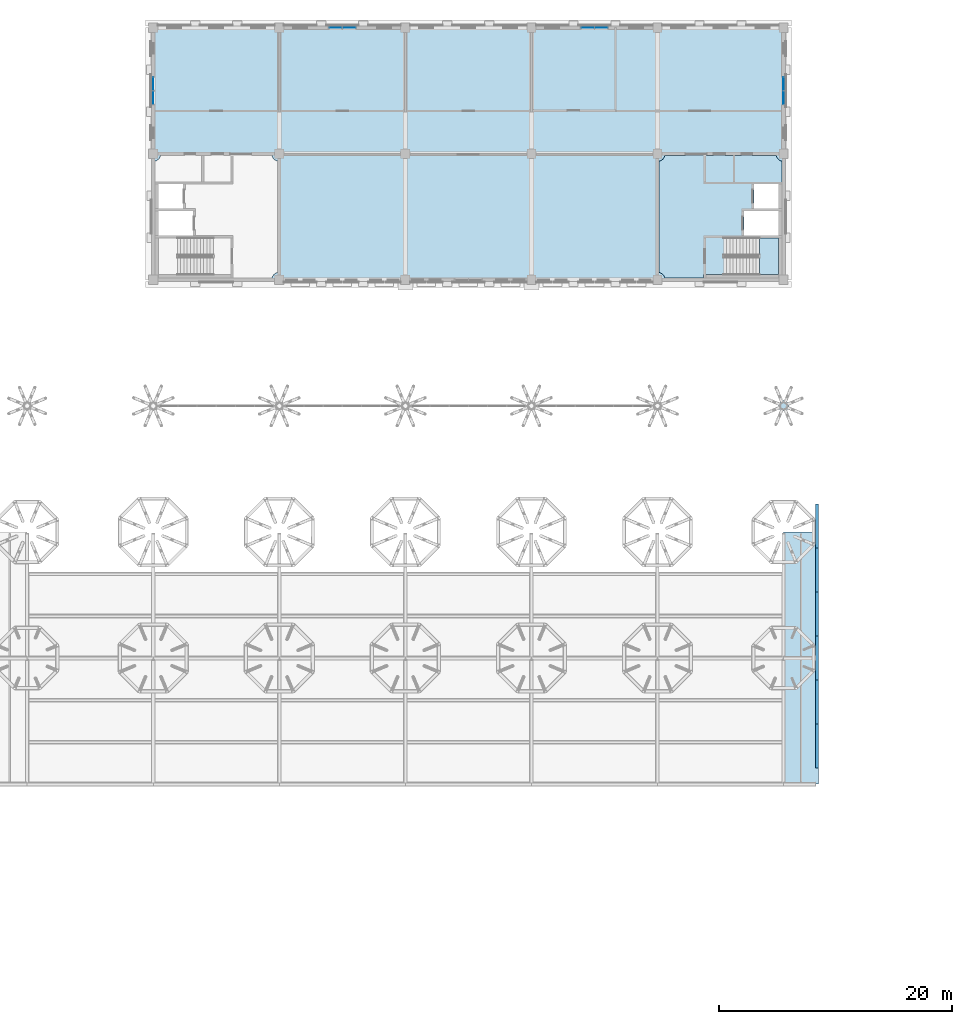
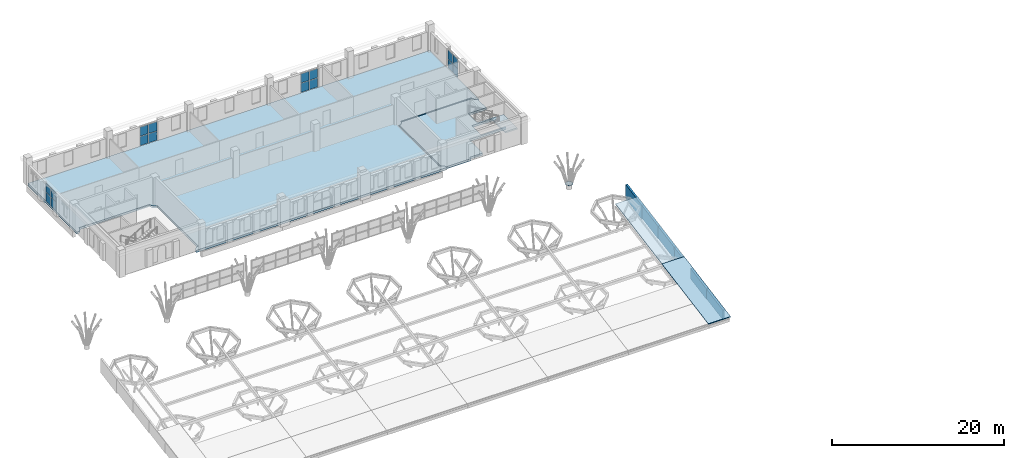
# One storey, part 19 of 42: 23 plates, 5 slabs, 5 elements without a shape of their own.
"""IFC4 building model written with IfcOpenShell, lengths in metres."""

import ifcopenshell
import ifcopenshell.guid

model = None  # the IFC model being written
_history = None  # IfcOwnerHistory: only IFC2X3 demands one
_inside = {}  # id of a spatial element -> (the spatial element, [elements in it])
_under = {}  # id of a project, library or spatial element -> (it, [spatial elements below it])
_declared = {}  # id of a project -> (the project, [libraries it declares])
_typed = {}  # id of a type object -> (the type object, [elements of that type])
_made_of = {}  # id of a material, layer set ... -> (it, [elements and type objects made of it])


def new_model(schema):
    """Start an empty IFC model of exactly this schema.

    Asked for "IFC4X3", IfcOpenShell would pick the latest addendum, in which some entities
    have other attributes; the version numbers below select the first issue.
    IFC2X3 requires an IfcOwnerHistory on every rooted entity: one is made here for all.
    """
    global model, _history
    if schema == "IFC4X3":
        model = ifcopenshell.file(schema_version=(4, 3, 0, 0))
    else:
        model = ifcopenshell.file(schema=schema)
    _inside.clear()
    _under.clear()
    _declared.clear()
    _typed.clear()
    _made_of.clear()
    _history = None
    if model.schema == "IFC2X3":
        org = make("IfcOrganization", Name="unknown")
        user = make(
            "IfcPersonAndOrganization",
            ThePerson=make("IfcPerson", FamilyName="unknown"),
            TheOrganization=org,
        )
        app = make(
            "IfcApplication",
            ApplicationDeveloper=org,
            Version="unknown",
            ApplicationFullName="unknown",
            ApplicationIdentifier="unknown",
        )
        _history = make(
            "IfcOwnerHistory",
            OwningUser=user,
            OwningApplication=app,
            ChangeAction="ADDED",
            CreationDate=0,
        )
    return model


def make(cls, **values):
    """One entity of the class cls with the attributes given. An attribute that is None is left unset."""
    return model.create_entity(
        cls, **{name: value for name, value in values.items() if value is not None}
    )


def rooted(cls, **values):
    """An entity with a GlobalId (a new one), such as an element, a storey or a relation."""
    return make(cls, GlobalId=ifcopenshell.guid.new(), OwnerHistory=_history, **values)


def si_unit(unit_type, name, prefix=None):
    """IfcSIUnit, for example si_unit("LENGTHUNIT", "METRE", prefix="MILLI")."""
    return make("IfcSIUnit", UnitType=unit_type, Prefix=prefix, Name=name)


def assignment(units):
    """IfcUnitAssignment: the units of a project."""
    return None if units is None else make("IfcUnitAssignment", Units=units)


def point(xyz):
    """IfcCartesianPoint."""
    return None if xyz is None else make("IfcCartesianPoint", Coordinates=xyz)


def direction(xyz):
    """IfcDirection."""
    return None if xyz is None else make("IfcDirection", DirectionRatios=xyz)


def frame(location, z_axis=None, x_axis=None):
    """IfcAxis2Placement3D, a coordinate frame: its origin and axes. An axis left out is left unset."""
    return make(
        "IfcAxis2Placement3D",
        Location=point(location),
        Axis=direction(z_axis),
        RefDirection=direction(x_axis),
    )


def frame_2d(location, x_axis=None):
    """IfcAxis2Placement2D, a coordinate frame in the plane: its origin and x axis."""
    return make(
        "IfcAxis2Placement2D", Location=point(location), RefDirection=direction(x_axis)
    )


def origin():
    """The frame at (0, 0, 0) with its axes left unset."""
    return frame((0.0, 0.0, 0.0))


def origin_2d():
    """The frame at (0, 0) in the plane with its x axis left unset."""
    return frame_2d((0.0, 0.0))


def place(relative_to, where):
    """IfcLocalPlacement: puts the frame where relative to a parent placement (None: the world)."""
    return make(
        "IfcLocalPlacement", PlacementRelTo=relative_to, RelativePlacement=where
    )


def context(
    kind, dimensions, precision=None, world=None, true_north=None, identifier=None
):
    """IfcGeometricRepresentationContext, for example the 3D "Model" context."""
    return make(
        "IfcGeometricRepresentationContext",
        ContextIdentifier=identifier,
        ContextType=kind,
        CoordinateSpaceDimension=dimensions,
        Precision=precision,
        WorldCoordinateSystem=world,
        TrueNorth=true_north,
    )


def subcontext(parent, identifier, kind, view, scale=None):
    """IfcGeometricRepresentationSubContext, for example "Body" below "Model"."""
    return make(
        "IfcGeometricRepresentationSubContext",
        ContextIdentifier=identifier,
        ContextType=kind,
        ParentContext=parent,
        TargetScale=scale,
        TargetView=view,
    )


def project(units=None, contexts=None):
    """IfcProject with its units and contexts."""
    return rooted(
        "IfcProject",
        Name="project",
        RepresentationContexts=contexts,
        UnitsInContext=assignment(units),
    )


def spatial(cls, under=None, at=None, **own):
    """A site, building, storey or space (cls), placed at a placement, below another one or the project."""
    s = rooted(cls, ObjectPlacement=at, **own)
    if under is not None:
        _under.setdefault(under.id(), (under, []))[1].append(s)
    return s


def polyline(points):
    """IfcPolyline through the points."""
    return make("IfcPolyline", Points=[point(p) for p in points])


def profile(cls, at=None, kind="AREA", **sizes):
    """A parametric profile (cls). Its sizes go by their IFC names, for example OverallWidth=200.0."""
    return make(cls, ProfileType=kind, Position=at, **sizes)


def rectangle(**sizes):
    """IfcRectangleProfileDef."""
    return profile("IfcRectangleProfileDef", **sizes)


def circle(**sizes):
    """IfcCircleProfileDef."""
    return profile("IfcCircleProfileDef", **sizes)


def outline(outer, holes=None, kind="AREA"):
    """IfcArbitraryClosedProfileDef: a profile drawn as a closed curve; with holes, ...WithVoids."""
    if holes is None:
        return make("IfcArbitraryClosedProfileDef", ProfileType=kind, OuterCurve=outer)
    return make(
        "IfcArbitraryProfileDefWithVoids",
        ProfileType=kind,
        OuterCurve=outer,
        InnerCurves=holes,
    )


def extrude(swept, where, along, depth):
    """IfcExtrudedAreaSolid: the profile swept, set in the frame where, extruded along a direction by depth."""
    return make(
        "IfcExtrudedAreaSolid",
        SweptArea=swept,
        Position=where,
        ExtrudedDirection=direction(along),
        Depth=depth,
    )


def shape(context_of_items, identifier, shape_type, items):
    """IfcShapeRepresentation: the items that make up one representation, for example the "Body"."""
    return make(
        "IfcShapeRepresentation",
        ContextOfItems=context_of_items,
        RepresentationIdentifier=identifier,
        RepresentationType=shape_type,
        Items=items,
    )


def material(Name=None, Category=None):
    """IfcMaterial."""
    return make("IfcMaterial", Name=Name, Category=Category)


def layer(
    of_material, thickness, ventilated=None, Name=None, Category=None, Priority=None
):
    """IfcMaterialLayer: one layer of a wall or slab, of a material (None: an air gap)."""
    return make(
        "IfcMaterialLayer",
        Material=of_material,
        LayerThickness=thickness,
        IsVentilated=ventilated,
        Name=Name,
        Category=Category,
        Priority=Priority,
    )


def layer_set(layers, Name=None):
    """IfcMaterialLayerSet."""
    return make("IfcMaterialLayerSet", MaterialLayers=layers, LayerSetName=Name)


def material_profile(
    of_material, cross_section, Name=None, Category=None, Priority=None
):
    """IfcMaterialProfile: a cross section and its material."""
    return make(
        "IfcMaterialProfile",
        Name=Name,
        Material=of_material,
        Profile=cross_section,
        Priority=Priority,
        Category=Category,
    )


def profile_set(profiles, Name=None, composite=None):
    """IfcMaterialProfileSet."""
    return make(
        "IfcMaterialProfileSet",
        Name=Name,
        MaterialProfiles=profiles,
        CompositeProfile=composite,
    )


def made_of(thing, what):
    """Note that an element or type object is made of a material, layer set ...; save() writes the relation."""
    if what is not None:
        _made_of.setdefault(what.id(), (what, []))[1].append(thing)
    return thing


def type_object(cls, material=None, **own):
    """A type object (cls), such as IfcWallType, which elements share."""
    return made_of(rooted(cls, **own), material)


def element(
    cls,
    number,
    at=None,
    inside=None,
    cuts=None,
    type_object=None,
    material=None,
    context=None,
    identifier="Body",
    shape_type=None,
    held_by="IfcProductDefinitionShape",
    body=None,
    shapes=None,
    **own,
):
    """One element of the class cls, such as IfcWall. Its Tag is "e" and its number.

    at: its placement. inside: the storey or other place that contains it. cuts: it is an
    opening in that element (IfcRelVoidsElement). A single representation is given by context,
    identifier, shape_type and body (its items); several are given by shapes. held_by: the class
    of the entity that holds the representations. save() writes the other relations.
    """
    e = rooted(cls, Tag="e%d" % number, ObjectPlacement=at, **own)
    if body is not None:
        shapes = [shape(context, identifier, shape_type, body)]
    if shapes is not None:
        e.Representation = make(held_by, Representations=shapes)
    if inside is not None:
        _inside.setdefault(inside.id(), (inside, []))[1].append(e)
    if cuts is not None:
        rooted(
            "IfcRelVoidsElement", RelatingBuildingElement=cuts, RelatedOpeningElement=e
        )
    if type_object is not None:
        _typed.setdefault(type_object.id(), (type_object, []))[1].append(e)
    return made_of(e, material)


def aggregate(whole, parts):
    """IfcRelAggregates: a whole, such as a stair, and the parts it consists of."""
    return rooted("IfcRelAggregates", RelatingObject=whole, RelatedObjects=parts)


def save(model, path):
    """Write the relations noted so far, then the file.

    IfcRelAggregates (storeys below a building ...), IfcRelContainedInSpatialStructure (elements
    in a storey), IfcRelDefinesByType, IfcRelAssociatesMaterial and IfcRelDeclares: one each for
    every whole, place, type object, material and project.
    """
    for whole, parts in _under.values():
        aggregate(whole, parts)
    for where, things in _inside.values():
        rooted(
            "IfcRelContainedInSpatialStructure",
            RelatedElements=things,
            RelatingStructure=where,
        )
    for kind, things in _typed.values():
        rooted("IfcRelDefinesByType", RelatedObjects=things, RelatingType=kind)
    for what, things in _made_of.values():
        rooted("IfcRelAssociatesMaterial", RelatedObjects=things, RelatingMaterial=what)
    for by, libraries in _declared.values():
        rooted("IfcRelDeclares", RelatingContext=by, RelatedDefinitions=libraries)
    model.write(path)


model = new_model("IFC4")

# Units and contexts
model_context = context("Model", 3, precision=1e-05, world=origin(), true_north=direction((0.0, 1.0)))
body_context = subcontext(model_context, "Body", "Model", "MODEL_VIEW")
ifc_project = project(units=[si_unit("LENGTHUNIT", "METRE"), si_unit("AREAUNIT", "SQUARE_METRE"), si_unit("VOLUMEUNIT", "CUBIC_METRE"), si_unit("PLANEANGLEUNIT", "RADIAN"), si_unit("MASSUNIT", "GRAM", prefix="KILO")], contexts=[model_context])

# Site, building, storey
site_placement = place(None, origin())
site = spatial("IfcSite", under=ifc_project, at=site_placement, CompositionType="ELEMENT")
building_placement = place(site_placement, origin())
building = spatial("IfcBuilding", under=site, at=building_placement, Name="Magnolia Steps Interchange", CompositionType="ELEMENT")
storey_placement = place(building_placement, frame((0.0, 0.0, 12.60009765625)))
storey = spatial("IfcBuildingStorey", under=building, at=storey_placement, Name="L03", CompositionType="ELEMENT", Elevation=12.60009765625)

# Slabs
ifc_material_1 = material(Name="Concrete C30", Category="concrete")
ifc_layer_1 = layer(ifc_material_1, 0.10009765625)
ifc_layer_set_1 = layer_set([ifc_layer_1], Name="Composite roof deck 100")
slab_type_1 = type_object("IfcSlabType", Name="Composite roof deck 100", PredefinedType="ROOF", material=ifc_layer_set_1)
for number, where, z_axis, x_axis, name in (
    (1, (121.0, 64.0, 2.39990234375), (0.0, -0.179938102664, 0.983677934697), (-1.0, 0.0, 0.0), "Composite roof deck panel"),
    (2, (121.0, 74.800048828125, 4.37548828125), (0.0, -0.179938102664, 0.983677934697), (-1.0, 0.0, 0.0), "Composite roof deck panel"),
):
    element("IfcSlab", number, at=place(storey_placement, frame(where, z_axis=z_axis, x_axis=x_axis)), inside=storey, type_object=slab_type_1, Name=name, PredefinedType="ROOF", context=body_context, shape_type="SweptSolid", body=[
        extrude(outline(polyline([(0.0, 0.0), (3.0, 0.0), (3.0, 10.979252911), (0.0, 10.979252911), (0.0, 0.0)])), origin(), (0.0, 0.179938102664, -0.983677934697), 0.1015625),
    ])
ifc_material_2 = material(Name="Concrete C35", Category="concrete")
ifc_layer_2 = layer(ifc_material_2, 0.300048828125)
ifc_layer_set_2 = layer_set([ifc_layer_2], Name="Core floor slab 300")
slab_type_2 = type_object("IfcSlabType", Name="Core floor slab 300", PredefinedType="FLOOR", material=ifc_layer_set_2)
slab_1_placement = place(storey_placement, frame((0.0, 0.0, -0.300048828125)))
element("IfcSlab", 3, at=slab_1_placement, inside=storey, type_object=slab_type_2, Name="L03 core floor OC-E", PredefinedType="FLOOR", context=body_context, shape_type="SweptSolid", body=[
    extrude(outline(polyline([(107.35009765625, 106.568359375), (107.388671875, 106.577880859375), (107.44873046875, 106.599609375), (107.50634765625, 106.626708984375), (107.56103515625, 106.659423828125), (107.6123046875, 106.697509765625), (107.65966796875, 106.740478515625), (107.702392578125, 106.78759765625), (107.740478515625, 106.8388671875), (107.773193359375, 106.8935546875), (107.800537109375, 106.951416015625), (107.822021484375, 107.01123046875), (107.831787109375, 107.050048828125), (117.368408203125, 107.050048828125), (117.3779296875, 107.01123046875), (117.3994140625, 106.951416015625), (117.4267578125, 106.8935546875), (117.45947265625, 106.8388671875), (117.49755859375, 106.78759765625), (117.540283203125, 106.740478515625), (117.587646484375, 106.697509765625), (117.638916015625, 106.659423828125), (117.693603515625, 106.626708984375), (117.751220703125, 106.599609375), (117.811279296875, 106.577880859375), (117.85009765625, 106.568359375), (117.85009765625, 104.60009765625), (115.449951171875, 104.60009765625), (115.449951171875, 102.5), (117.85009765625, 102.5), (117.85009765625, 102.300048828125), (114.60009765625, 102.300048828125), (114.60009765625, 100.199951171875), (117.85009765625, 100.199951171875), (117.85009765625, 100.0), (112.89990234375, 100.0), (112.89990234375, 96.85009765625), (111.14990234375, 96.85009765625), (111.14990234375, 96.550048828125), (107.831787109375, 96.550048828125), (107.822021484375, 96.588623046875), (107.800537109375, 96.648681640625), (107.773193359375, 96.706298828125), (107.740478515625, 96.760986328125), (107.702392578125, 96.8125), (107.65966796875, 96.859619140625), (107.6123046875, 96.902587890625), (107.56103515625, 96.9404296875), (107.50634765625, 96.97314453125), (107.44873046875, 97.00048828125), (107.388671875, 97.02197265625), (107.35009765625, 97.03173828125), (107.35009765625, 106.568359375)])), origin(), (0.0, 0.0, 1.0), 0.300048828125),
])

# Stair, slab
ifc_material_3 = material(Name="Concrete C40", Category="concrete")
stair_type = type_object("IfcStairType", Name="Exit stair 1500", PredefinedType="HALF_TURN_STAIR", material=ifc_material_3)
stair_placement = place(storey_placement, origin())
stair = element("IfcStair", 4, at=stair_placement, inside=storey, type_object=stair_type, Name="L03 Stair 29", PredefinedType="HALF_TURN_STAIR")
ifc_material_4 = material(Name="Concrete C40", Category="concrete")
ifc_layer_3 = layer(ifc_material_4, 0.199951171875)
ifc_layer_set_3 = layer_set([ifc_layer_3], Name="Exit stair landing 200")
slab_type_3 = type_object("IfcSlabType", Name="Exit stair landing 200", PredefinedType="LANDING", material=ifc_layer_set_3)
slab_2_placement = place(storey_placement, frame((0.0, 0.0, 1.75)))
slab_2 = element("IfcSlab", 5, at=slab_2_placement, type_object=slab_type_3, Name="Stair 29 landing 1", PredefinedType="LANDING", context=body_context, shape_type="SweptSolid", body=[
    extrude(outline(polyline([(115.929931640625, 96.85009765625), (117.550048828125, 96.85009765625), (117.550048828125, 100.0), (115.929931640625, 100.0), (115.929931640625, 96.85009765625)])), origin(), (0.0, 0.0, 1.0), 0.199951171875),
])
aggregate(stair, [slab_2])

# Plates
ifc_material_5 = material(Name="White painted steel", Category="steel")
ifc_layer_4 = layer(ifc_material_5, 0.25)
ifc_layer_set_4 = layer_set([ifc_layer_4], Name="Fascia plate 250")
plate_type_1 = type_object("IfcPlateType", Name="Fascia plate 250", PredefinedType="SHEET", material=ifc_layer_set_4)
plate_1_placement = place(storey_placement, frame((121.0, 54.583251953125, -0.82421875), z_axis=(0.99999899417, -0.00025518262, 0.001395185203), x_axis=(0.0, 0.983681672692, 0.179917666753)))
element("IfcPlate", 6, at=plate_1_placement, inside=storey, type_object=plate_type_1, Name="Sloping fascia plate", PredefinedType="SHEET", context=body_context, shape_type="SweptSolid", body=[
    extrude(outline(polyline([(0.0, 0.0), (3.829334029, 0.0), (4.081201193, 1.377059664), (0.251867163, 1.377059664), (0.0, 0.0)])), origin(), (0.0, 0.0, -1.0), 0.25),
])
plate_2_placement = place(storey_placement, frame((121.0, 58.35009765625, -0.2353515625), z_axis=(0.999999123928, -0.000238169299, 0.001302082193), x_axis=(0.0, 0.983679608713, 0.179928950984)))
element("IfcPlate", 7, at=plate_2_placement, inside=storey, type_object=plate_type_1, Name="Sloping fascia plate", PredefinedType="SHEET", context=body_context, shape_type="SweptSolid", body=[
    extrude(outline(polyline([(0.0, 0.0), (3.829093873, 0.0), (4.098987299, 1.475520706), (0.269893426, 1.475520706), (0.0, 0.0)])), origin(), (0.0, 0.0, -1.0), 0.25),
])
plate_3_placement = place(storey_placement, frame((121.0, 62.11669921875, 0.353759765625), z_axis=(0.999999229983, -0.000223326711, 0.001220720812), x_axis=(3.8916e-08, 0.983679608704, 0.179928951032)))
element("IfcPlate", 8, at=plate_3_placement, inside=storey, type_object=plate_type_1, Name="Sloping fascia plate", PredefinedType="SHEET", context=body_context, shape_type="SweptSolid", body=[
    extrude(outline(polyline([(0.0, 0.0), (3.829093873, 0.0), (4.116997766, 1.573984648), (0.287859965, 1.573744492), (0.0, 0.0)])), origin(), (0.0, 0.0, -1.0), 0.25),
])
plate_4_placement = place(storey_placement, frame((121.0, 65.88330078125, 0.94287109375), z_axis=(0.999999317898, -0.000210155459, 0.001148929275), x_axis=(0.0, 0.983679608713, 0.179928950984)))
element("IfcPlate", 9, at=plate_4_placement, inside=storey, type_object=plate_type_1, Name="Sloping fascia plate", PredefinedType="SHEET", context=body_context, shape_type="SweptSolid", body=[
    extrude(outline(polyline([(0.0, 0.0), (3.829093873, 0.0), (4.134964304, 1.672208444), (0.305870431, 1.672208444), (0.0, 0.0)])), origin(), (0.0, 0.0, -1.0), 0.25),
])
plate_5_placement = place(storey_placement, frame((121.0, 69.64990234375, 1.53173828125), z_axis=(0.999999391652, -0.000198456222, 0.001085039351), x_axis=(0.0, 0.983681672692, 0.179917666753)))
element("IfcPlate", 10, at=plate_5_placement, inside=storey, type_object=plate_type_1, Name="Sloping fascia plate", PredefinedType="SHEET", context=body_context, shape_type="SweptSolid", body=[
    extrude(outline(polyline([(0.0, 0.0), (3.829334029, 0.0), (4.153194614, 1.770676119), (0.323860585, 1.770676119), (0.0, 0.0)])), origin(), (0.0, 0.0, -1.0), 0.25),
])
plate_6_placement = place(storey_placement, frame((121.0, 73.416748046875, 2.020751953125), z_axis=(0.999999507209, -0.000178627043, 0.000976562019), x_axis=(0.0, 0.983679608713, 0.179928950984)))
element("IfcPlate", 11, at=plate_6_placement, inside=storey, type_object=plate_type_1, Name="Sloping fascia plate", PredefinedType="SHEET", context=body_context, shape_type="SweptSolid", body=[
    extrude(outline(polyline([(0.0, 0.0), (3.829093873, 0.0), (4.188951775, 1.967360187), (0.359857902, 1.967360187), (0.0, 0.0)])), origin(), (0.0, 0.0, -1.0), 0.25),
])

# Slab
ifc_material_6 = material(Name="Concrete C40", Category="concrete")
ifc_layer_5 = layer(ifc_material_6, 0.300048828125)
ifc_layer_set_5 = layer_set([ifc_layer_5], Name="Floor slab 300")
slab_type_4 = type_object("IfcSlabType", Name="Floor slab 300", PredefinedType="FLOOR", material=ifc_layer_set_5)
slab_3_placement = place(storey_placement, frame((0.0, 0.0, -0.300048828125)))
element("IfcSlab", 12, at=slab_3_placement, inside=storey, type_object=slab_type_4, Name="Operations floor L03", PredefinedType="FLOOR", context=body_context, shape_type="SweptSolid", body=[
    extrude(outline(polyline([(64.0, 106.550048828125), (64.063720703125, 106.552978515625), (64.126708984375, 106.5625), (64.188720703125, 106.577880859375), (64.248779296875, 106.599609375), (64.306396484375, 106.626708984375), (64.361083984375, 106.659423828125), (64.412353515625, 106.697509765625), (64.459716796875, 106.740478515625), (64.50244140625, 106.78759765625), (64.54052734375, 106.8388671875), (64.5732421875, 106.8935546875), (64.6005859375, 106.951416015625), (64.6220703125, 107.01123046875), (64.637451171875, 107.0732421875), (64.64697265625, 107.13623046875), (64.64990234375, 107.199951171875), (74.14990234375, 107.199951171875), (74.153076171875, 107.13623046875), (74.16259765625, 107.0732421875), (74.177978515625, 107.01123046875), (74.199462890625, 106.951416015625), (74.226806640625, 106.8935546875), (74.259521484375, 106.8388671875), (74.297607421875, 106.78759765625), (74.34033203125, 106.740478515625), (74.3876953125, 106.697509765625), (74.43896484375, 106.659423828125), (74.49365234375, 106.626708984375), (74.55126953125, 106.599609375), (74.611328125, 106.577880859375), (74.673095703125, 106.5625), (74.736328125, 106.552978515625), (74.800048828125, 106.550048828125), (74.800048828125, 97.050048828125), (74.736328125, 97.046875), (74.673095703125, 97.03759765625), (74.611328125, 97.02197265625), (74.55126953125, 97.00048828125), (74.49365234375, 96.97314453125), (74.43896484375, 96.9404296875), (74.3876953125, 96.902587890625), (74.34033203125, 96.859619140625), (74.297607421875, 96.8125), (74.259521484375, 96.760986328125), (74.226806640625, 96.706298828125), (74.199462890625, 96.648681640625), (74.177978515625, 96.588623046875), (74.16259765625, 96.52685546875), (74.153076171875, 96.463623046875), (74.14990234375, 96.39990234375), (107.85009765625, 96.39990234375), (107.846923828125, 96.463623046875), (107.83740234375, 96.52685546875), (107.822021484375, 96.588623046875), (107.800537109375, 96.648681640625), (107.773193359375, 96.706298828125), (107.740478515625, 96.760986328125), (107.702392578125, 96.8125), (107.65966796875, 96.859619140625), (107.6123046875, 96.902587890625), (107.56103515625, 96.9404296875), (107.50634765625, 96.97314453125), (107.44873046875, 97.00048828125), (107.388671875, 97.02197265625), (107.326904296875, 97.03759765625), (107.263671875, 97.046875), (107.199951171875, 97.050048828125), (107.199951171875, 106.550048828125), (107.263671875, 106.552978515625), (107.326904296875, 106.5625), (107.388671875, 106.577880859375), (107.44873046875, 106.599609375), (107.50634765625, 106.626708984375), (107.56103515625, 106.659423828125), (107.6123046875, 106.697509765625), (107.65966796875, 106.740478515625), (107.702392578125, 106.78759765625), (107.740478515625, 106.8388671875), (107.773193359375, 106.8935546875), (107.800537109375, 106.951416015625), (107.822021484375, 107.01123046875), (107.83740234375, 107.0732421875), (107.846923828125, 107.13623046875), (107.85009765625, 107.199951171875), (117.35009765625, 107.199951171875), (117.35302734375, 107.13623046875), (117.362548828125, 107.0732421875), (117.3779296875, 107.01123046875), (117.3994140625, 106.951416015625), (117.4267578125, 106.8935546875), (117.45947265625, 106.8388671875), (117.49755859375, 106.78759765625), (117.540283203125, 106.740478515625), (117.587646484375, 106.697509765625), (117.638916015625, 106.659423828125), (117.693603515625, 106.626708984375), (117.751220703125, 106.599609375), (117.811279296875, 106.577880859375), (117.873291015625, 106.5625), (117.936279296875, 106.552978515625), (118.0, 106.550048828125), (118.0, 118.0), (64.0, 118.0), (64.0, 106.550048828125)])), origin(), (0.0, 0.0, 1.0), 0.300048828125),
])

# Curtain wall, plates
ifc_material_7 = material(Name="Powder-coated aluminium and glass", Category="aluminium")
ifc_layer_6 = layer(ifc_material_7, 0.199951171875)
ifc_layer_set_6 = layer_set([ifc_layer_6], Name="Glazed central bay curtain wall")
curtain_wall_type = type_object("IfcCurtainWallType", Name="Glazed central bay curtain wall", PredefinedType="NOTDEFINED", material=ifc_layer_set_6)
curtain_wall_1_placement = place(storey_placement, origin())
curtain_wall_1 = element("IfcCurtainWall", 13, at=curtain_wall_1_placement, inside=storey, type_object=curtain_wall_type, Name="Operations building north wall L03 glazing 2", PredefinedType="NOTDEFINED")
ifc_material_8 = material(Name="Laminated glass", Category="glass")
ifc_layer_7 = layer(ifc_material_8, 0.028076171875)
ifc_layer_set_7 = layer_set([ifc_layer_7], Name="Glass panel 28")
plate_type_2 = type_object("IfcPlateType", Name="Glass panel 28", PredefinedType="CURTAIN_PANEL", material=ifc_layer_set_7)
plate_7_placement = place(storey_placement, frame((79.614990234375, 118.0, 0.06005859375), z_axis=(0.0, 0.0, 1.0), x_axis=(1.0, 0.0, 0.0)))
plate_7 = element("IfcPlate", 14, at=plate_7_placement, type_object=plate_type_2, Name="CW2 panel 1.1", PredefinedType="CURTAIN_PANEL", context=body_context, shape_type="SweptSolid", body=[
    extrude(rectangle(XDim=1.110107421875, YDim=0.028076171875, at=origin_2d()), origin(), (0.0, 0.0, 1.0), 1.284912109375),
])
plate_8_placement = place(storey_placement, frame((79.614990234375, 118.0, 1.40478515625), z_axis=(0.0, 0.0, 1.0), x_axis=(1.0, 0.0, 0.0)))
plate_8 = element("IfcPlate", 15, at=plate_8_placement, type_object=plate_type_2, Name="CW2 panel 1.2", PredefinedType="CURTAIN_PANEL", context=body_context, shape_type="SweptSolid", body=[
    extrude(rectangle(XDim=1.110107421875, YDim=0.028076171875, at=origin_2d()), origin(), (0.0, 0.0, 1.0), 1.284912109375),
])
plate_9_placement = place(storey_placement, frame((80.784912109375, 118.0, 0.06005859375), z_axis=(0.0, 0.0, 1.0), x_axis=(1.0, 0.0, 0.0)))
plate_9 = element("IfcPlate", 16, at=plate_9_placement, type_object=plate_type_2, Name="CW2 panel 2.1", PredefinedType="CURTAIN_PANEL", context=body_context, shape_type="SweptSolid", body=[
    extrude(rectangle(XDim=1.110107421875, YDim=0.028076171875, at=origin_2d()), origin(), (0.0, 0.0, 1.0), 1.284912109375),
])
plate_10_placement = place(storey_placement, frame((80.784912109375, 118.0, 1.40478515625), z_axis=(0.0, 0.0, 1.0), x_axis=(1.0, 0.0, 0.0)))
plate_10 = element("IfcPlate", 17, at=plate_10_placement, type_object=plate_type_2, Name="CW2 panel 2.2", PredefinedType="CURTAIN_PANEL", context=body_context, shape_type="SweptSolid", body=[
    extrude(rectangle(XDim=1.110107421875, YDim=0.028076171875, at=origin_2d()), origin(), (0.0, 0.0, 1.0), 1.284912109375),
])
aggregate(curtain_wall_1, [plate_7, plate_8, plate_9, plate_10])

curtain_wall_2_placement = place(storey_placement, origin())
curtain_wall_2 = element("IfcCurtainWall", 18, at=curtain_wall_2_placement, inside=storey, type_object=curtain_wall_type, Name="Operations building north wall L03 glazing 4", PredefinedType="NOTDEFINED")
plate_11_placement = place(storey_placement, frame((101.215087890625, 118.0, 0.06005859375), z_axis=(0.0, 0.0, 1.0), x_axis=(1.0, 0.0, 0.0)))
plate_11 = element("IfcPlate", 19, at=plate_11_placement, type_object=plate_type_2, Name="CW2 panel 1.1", PredefinedType="CURTAIN_PANEL", context=body_context, shape_type="SweptSolid", body=[
    extrude(rectangle(XDim=1.110107421875, YDim=0.028076171875, at=origin_2d()), origin(), (0.0, 0.0, 1.0), 1.284912109375),
])
plate_12_placement = place(storey_placement, frame((101.215087890625, 118.0, 1.40478515625), z_axis=(0.0, 0.0, 1.0), x_axis=(1.0, 0.0, 0.0)))
plate_12 = element("IfcPlate", 20, at=plate_12_placement, type_object=plate_type_2, Name="CW2 panel 1.2", PredefinedType="CURTAIN_PANEL", context=body_context, shape_type="SweptSolid", body=[
    extrude(rectangle(XDim=1.110107421875, YDim=0.028076171875, at=origin_2d()), origin(), (0.0, 0.0, 1.0), 1.284912109375),
])
plate_13_placement = place(storey_placement, frame((102.385009765625, 118.0, 0.06005859375), z_axis=(0.0, 0.0, 1.0), x_axis=(1.0, 0.0, 0.0)))
plate_13 = element("IfcPlate", 21, at=plate_13_placement, type_object=plate_type_2, Name="CW2 panel 2.1", PredefinedType="CURTAIN_PANEL", context=body_context, shape_type="SweptSolid", body=[
    extrude(rectangle(XDim=1.110107421875, YDim=0.028076171875, at=origin_2d()), origin(), (0.0, 0.0, 1.0), 1.284912109375),
])
plate_14_placement = place(storey_placement, frame((102.385009765625, 118.0, 1.40478515625), z_axis=(0.0, 0.0, 1.0), x_axis=(1.0, 0.0, 0.0)))
plate_14 = element("IfcPlate", 22, at=plate_14_placement, type_object=plate_type_2, Name="CW2 panel 2.2", PredefinedType="CURTAIN_PANEL", context=body_context, shape_type="SweptSolid", body=[
    extrude(rectangle(XDim=1.110107421875, YDim=0.028076171875, at=origin_2d()), origin(), (0.0, 0.0, 1.0), 1.284912109375),
])
aggregate(curtain_wall_2, [plate_11, plate_12, plate_13, plate_14])

curtain_wall_3_placement = place(storey_placement, origin())
curtain_wall_3 = element("IfcCurtainWall", 23, at=curtain_wall_3_placement, inside=storey, type_object=curtain_wall_type, Name="Operations building west wall L03 glazing 2", PredefinedType="NOTDEFINED")
plate_15_placement = place(storey_placement, frame((64.0, 112.014892578125, 0.06005859375), z_axis=(0.0, 0.0, 1.0), x_axis=(0.0, 1.0, 0.0)))
plate_15 = element("IfcPlate", 24, at=plate_15_placement, type_object=plate_type_2, Name="CW2 panel 1.1", PredefinedType="CURTAIN_PANEL", context=body_context, shape_type="SweptSolid", body=[
    extrude(rectangle(XDim=1.110107421875, YDim=0.028076171875, at=origin_2d()), origin(), (0.0, 0.0, 1.0), 1.260009765625),
])
plate_16_placement = place(storey_placement, frame((64.0, 112.014892578125, 1.3798828125), z_axis=(0.0, 0.0, 1.0), x_axis=(0.0, 1.0, 0.0)))
plate_16 = element("IfcPlate", 25, at=plate_16_placement, type_object=plate_type_2, Name="CW2 panel 1.2", PredefinedType="CURTAIN_PANEL", context=body_context, shape_type="SweptSolid", body=[
    extrude(rectangle(XDim=1.110107421875, YDim=0.028076171875, at=origin_2d()), origin(), (0.0, 0.0, 1.0), 1.260009765625),
])
plate_17_placement = place(storey_placement, frame((64.0, 113.18505859375, 0.06005859375), z_axis=(0.0, 0.0, 1.0), x_axis=(0.0, 1.0, 0.0)))
plate_17 = element("IfcPlate", 26, at=plate_17_placement, type_object=plate_type_2, Name="CW2 panel 2.1", PredefinedType="CURTAIN_PANEL", context=body_context, shape_type="SweptSolid", body=[
    extrude(rectangle(XDim=1.110107421875, YDim=0.028076171875, at=origin_2d()), origin(), (0.0, 0.0, 1.0), 1.260009765625),
])
plate_18_placement = place(storey_placement, frame((64.0, 113.18505859375, 1.3798828125), z_axis=(0.0, 0.0, 1.0), x_axis=(0.0, 1.0, 0.0)))
plate_18 = element("IfcPlate", 27, at=plate_18_placement, type_object=plate_type_2, Name="CW2 panel 2.2", PredefinedType="CURTAIN_PANEL", context=body_context, shape_type="SweptSolid", body=[
    extrude(rectangle(XDim=1.110107421875, YDim=0.028076171875, at=origin_2d()), origin(), (0.0, 0.0, 1.0), 1.260009765625),
])
aggregate(curtain_wall_3, [plate_15, plate_16, plate_17, plate_18])

curtain_wall_4_placement = place(storey_placement, origin())
curtain_wall_4 = element("IfcCurtainWall", 28, at=curtain_wall_4_placement, inside=storey, type_object=curtain_wall_type, Name="Operations building east wall L03 glazing 2", PredefinedType="NOTDEFINED")
plate_19_placement = place(storey_placement, frame((118.0, 112.014892578125, 0.06005859375), z_axis=(0.0, 0.0, 1.0), x_axis=(0.0, 1.0, 0.0)))
plate_19 = element("IfcPlate", 29, at=plate_19_placement, type_object=plate_type_2, Name="CW2 panel 1.1", PredefinedType="CURTAIN_PANEL", context=body_context, shape_type="SweptSolid", body=[
    extrude(rectangle(XDim=1.110107421875, YDim=0.028076171875, at=origin_2d()), origin(), (0.0, 0.0, 1.0), 1.260009765625),
])
plate_20_placement = place(storey_placement, frame((118.0, 112.014892578125, 1.3798828125), z_axis=(0.0, 0.0, 1.0), x_axis=(0.0, 1.0, 0.0)))
plate_20 = element("IfcPlate", 30, at=plate_20_placement, type_object=plate_type_2, Name="CW2 panel 1.2", PredefinedType="CURTAIN_PANEL", context=body_context, shape_type="SweptSolid", body=[
    extrude(rectangle(XDim=1.110107421875, YDim=0.028076171875, at=origin_2d()), origin(), (0.0, 0.0, 1.0), 1.260009765625),
])
plate_21_placement = place(storey_placement, frame((118.0, 113.18505859375, 0.06005859375), z_axis=(0.0, 0.0, 1.0), x_axis=(0.0, 1.0, 0.0)))
plate_21 = element("IfcPlate", 31, at=plate_21_placement, type_object=plate_type_2, Name="CW2 panel 2.1", PredefinedType="CURTAIN_PANEL", context=body_context, shape_type="SweptSolid", body=[
    extrude(rectangle(XDim=1.110107421875, YDim=0.028076171875, at=origin_2d()), origin(), (0.0, 0.0, 1.0), 1.260009765625),
])
plate_22_placement = place(storey_placement, frame((118.0, 113.18505859375, 1.3798828125), z_axis=(0.0, 0.0, 1.0), x_axis=(0.0, 1.0, 0.0)))
plate_22 = element("IfcPlate", 32, at=plate_22_placement, type_object=plate_type_2, Name="CW2 panel 2.2", PredefinedType="CURTAIN_PANEL", context=body_context, shape_type="SweptSolid", body=[
    extrude(rectangle(XDim=1.110107421875, YDim=0.028076171875, at=origin_2d()), origin(), (0.0, 0.0, 1.0), 1.260009765625),
])
aggregate(curtain_wall_4, [plate_19, plate_20, plate_21, plate_22])

# Plate
ifc_material_9 = material(Name="Steel Q355B", Category="steel")
ifc_material_profile = material_profile(ifc_material_9, circle(Radius=0.449951171875, at=origin_2d()), Name="Tree head plate 900 x 30")
ifc_profile_set = profile_set([ifc_material_profile], Name="Steel Q355B")
plate_type_3 = type_object("IfcPlateType", Name="Tree head plate 900 x 30", PredefinedType="SHEET", material=ifc_profile_set)
plate_23_placement = place(storey_placement, frame((118.0, 85.60009765625, 0.691162109375), z_axis=(0.0, 0.0, 1.0), x_axis=(1.0, 0.0, 0.0)))
element("IfcPlate", 33, at=plate_23_placement, inside=storey, type_object=plate_type_3, Name="Tree head plate TH07E", PredefinedType="SHEET", context=body_context, shape_type="SweptSolid", body=[
    extrude(circle(Radius=0.449951171875, at=origin_2d()), origin(), (0.0, 0.0, 1.0), 0.030029296875),
])

save(model, "model.ifc")
